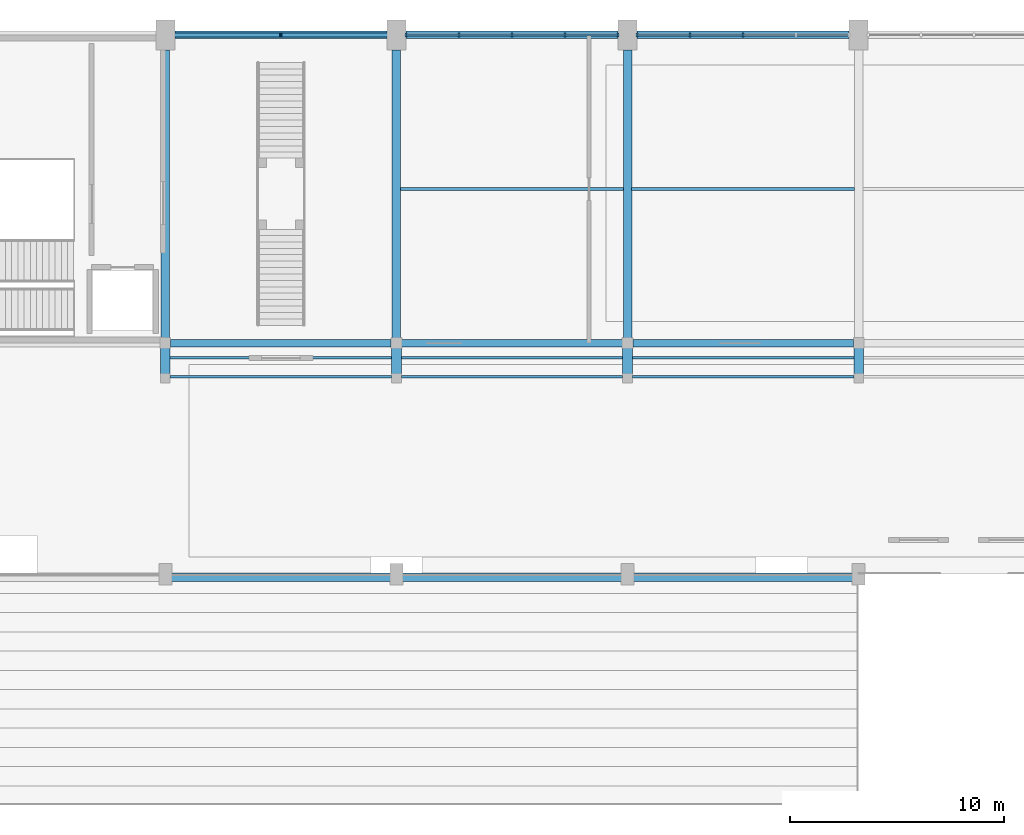
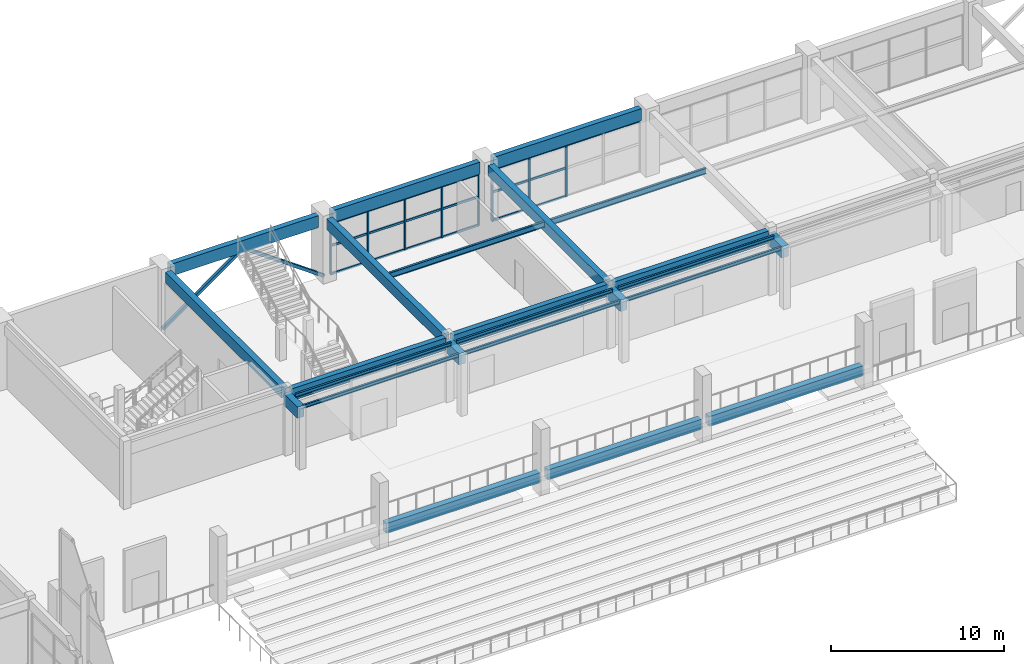
# One storey, part 25 of 74: 24 beams, 24 members, 2 elements without a shape of their own.
"""IFC4 building model written with IfcOpenShell, lengths in metres."""

from ifc_helpers import new_model, si_unit, direction, frame, origin, origin_2d, place, context, subcontext, project, spatial, rectangle, hollow_rectangle, i_section, extrude, material, material_profile, profile_set, type_object, element, aggregate, save


model = new_model("IFC4")

# Units and contexts
model_context = context("Model", 3, precision=1e-05, world=origin(), true_north=direction((0.0, 1.0)))
body_context = subcontext(model_context, "Body", "Model", "MODEL_VIEW")
ifc_project = project(units=[si_unit("LENGTHUNIT", "METRE"), si_unit("AREAUNIT", "SQUARE_METRE"), si_unit("VOLUMEUNIT", "CUBIC_METRE"), si_unit("PLANEANGLEUNIT", "RADIAN"), si_unit("MASSUNIT", "GRAM", prefix="KILO")], contexts=[model_context])

# Site, building, storey
site_placement = place(None, origin())
site = spatial("IfcSite", under=ifc_project, at=site_placement, CompositionType="ELEMENT")
building_placement = place(site_placement, origin())
building = spatial("IfcBuilding", under=site, at=building_placement, Name="Suirenkawa Promenade Aquatics Centre", CompositionType="ELEMENT")
storey_placement = place(building_placement, frame((0.0, 0.0, 4.800048828125)))
storey = spatial("IfcBuildingStorey", under=building, at=storey_placement, Name="L01", CompositionType="ELEMENT", Elevation=4.800048828125)

# Beams
ifc_material_1 = material(Name="Steel IS 2062 E350 (Grade 350)", Category="steel")
ifc_material_profile_1 = material_profile(ifc_material_1, i_section(OverallWidth=0.125, OverallDepth=0.25, WebThickness=0.007080078125, FlangeThickness=0.012939453125, at=origin_2d()), Name="ISMB 250", Category="steel")
ifc_profile_set_1 = profile_set([ifc_material_profile_1], Name="Steel IS 2062 E350 (Grade 350)")
beam_type_1 = type_object("IfcBeamType", Name="BT-JOIST-ISMB250", PredefinedType="JOIST", material=ifc_profile_set_1)
for number, where, z_axis, x_axis, name in (
    (1, (68.590087890625, 106.419921875, 4.18505859375), (1.0, 0.0, 0.0), (0.0, 1.0, 0.0), "VIP tier stringer JS-01 BM-1320"),
    (2, (68.590087890625, 107.320068359375, 4.429931640625), (1.0, 0.0, 0.0), (0.0, 1.0, 0.0), "VIP tier stringer JS-01 BM-1321"),
):
    element("IfcBeam", number, at=place(storey_placement, frame(where, z_axis=z_axis, x_axis=x_axis)), inside=storey, type_object=beam_type_1, Name=name, PredefinedType="JOIST", context=body_context, shape_type="SweptSolid", body=[
        extrude(i_section(OverallWidth=0.125, OverallDepth=0.25, WebThickness=0.007080078125, FlangeThickness=0.012939453125, at=origin_2d()), origin(), (0.0, 0.0, 1.0), 10.419921875),
    ])
for number, where, z_axis, x_axis, name in (
    (3, (79.389892578125, 106.419921875, 4.18505859375), (1.0, 0.0, 0.0), (0.0, 1.0, 0.0), "VIP tier stringer JS-01 BM-1322"),
    (4, (79.389892578125, 107.320068359375, 4.429931640625), (1.0, 0.0, 0.0), (0.0, 1.0, 0.0), "VIP tier stringer JS-01 BM-1323"),
    (5, (90.18994140625, 106.419921875, 4.18505859375), (1.0, 0.0, 0.0), (0.0, 1.0, 0.0), "VIP tier stringer JS-01 BM-1324"),
    (6, (90.18994140625, 107.320068359375, 4.429931640625), (1.0, 0.0, 0.0), (0.0, 1.0, 0.0), "VIP tier stringer JS-01 BM-1325"),
):
    element("IfcBeam", number, at=place(storey_placement, frame(where, z_axis=z_axis, x_axis=x_axis)), inside=storey, type_object=beam_type_1, Name=name, PredefinedType="JOIST", context=body_context, shape_type="SweptSolid", body=[
        extrude(i_section(OverallWidth=0.125, OverallDepth=0.25, WebThickness=0.007080078125, FlangeThickness=0.012939453125, at=origin_2d()), origin(), (0.0, 0.0, 1.0), 10.420166015625),
    ])
ifc_material_profile_2 = material_profile(ifc_material_1, i_section(OverallWidth=0.139892578125, OverallDepth=0.39990234375, WebThickness=0.009033203125, FlangeThickness=0.01611328125, at=origin_2d()), Name="ISMB 400", Category="steel")
ifc_profile_set_2 = profile_set([ifc_material_profile_2], Name="Steel IS 2062 E350 (Grade 350)")
beam_type_2 = type_object("IfcBeamType", Name="BT-JOIST-ISMB400", PredefinedType="JOIST", material=ifc_profile_set_2)
for number, where, z_axis, x_axis, name in (
    (7, (79.39404296875, 115.199951171875, 4.347900390625), (1.0, 0.0, 0.0), (0.0, 1.0, 0.0), "Secondary floor joist JS-04 BM-1151"),
    (8, (90.194091796875, 115.199951171875, 4.347900390625), (1.0, 0.0, 0.0), (0.0, 1.0, 0.0), "Secondary floor joist JS-04 BM-1152"),
):
    element("IfcBeam", number, at=place(storey_placement, frame(where, z_axis=z_axis, x_axis=x_axis)), inside=storey, type_object=beam_type_2, Name=name, PredefinedType="JOIST", context=body_context, shape_type="SweptSolid", body=[
        extrude(i_section(OverallWidth=0.139892578125, OverallDepth=0.39990234375, WebThickness=0.009033203125, FlangeThickness=0.01611328125, at=origin_2d()), origin(), (0.0, 0.0, 1.0), 10.411865234375),
    ])
ifc_material_2 = material(Name="Concrete M35", Category="concrete")
ifc_material_profile_3 = material_profile(ifc_material_2, rectangle(XDim=0.39990234375, YDim=0.699951171875, at=origin_2d()), Name="RC BM 400x700", Category="concrete")
ifc_profile_set_3 = profile_set([ifc_material_profile_3], Name="Concrete M35")
beam_type_3 = type_object("IfcBeamType", Name="BT-RC-400x700", PredefinedType="BEAM", material=ifc_profile_set_3)
for number, where, z_axis, x_axis, name in (
    (9, (68.639892578125, 97.050048828125, 1.329833984375), (1.0, 0.0, 0.0), (0.0, 1.0, 0.0), "Bowl top header beam BM-04 BM-1199"),
    (10, (79.43994140625, 97.050048828125, 1.329833984375), (1.0, 0.0, 0.0), (0.0, 1.0, 0.0), "Bowl top header beam BM-04 BM-1222"),
    (11, (90.239990234375, 97.050048828125, 1.329833984375), (1.0, 0.0, 0.0), (0.0, 1.0, 0.0), "Bowl top header beam BM-04 BM-1245"),
):
    element("IfcBeam", number, at=place(storey_placement, frame(where, z_axis=z_axis, x_axis=x_axis)), inside=storey, type_object=beam_type_3, Name=name, PredefinedType="BEAM", context=body_context, shape_type="SweptSolid", body=[
        extrude(rectangle(XDim=0.39990234375, YDim=0.699951171875, at=origin_2d()), origin(), (0.0, 0.0, 1.0), 10.320068359375),
    ])
ifc_material_3 = material(Name="Concrete M40", Category="concrete")
ifc_material_profile_4 = material_profile(ifc_material_3, rectangle(XDim=0.39990234375, YDim=0.75, at=origin_2d()), Name="RC BM 400x750", Category="concrete")
ifc_profile_set_4 = profile_set([ifc_material_profile_4], Name="Concrete M40")
beam_type_4 = type_object("IfcBeamType", Name="BT-RC-400x750", PredefinedType="BEAM", material=ifc_profile_set_4)
for number, where, z_axis, x_axis, name in (
    (12, (68.39990234375, 108.243896484375, 4.175048828125), (0.0, 1.0, 0.0), (-1.0, 0.0, 0.0), "Floor beam BM-05 BM-1143"),
    (13, (79.199951171875, 108.243896484375, 4.175048828125), (0.0, 1.0, 0.0), (-1.0, 0.0, 0.0), "Floor beam BM-05 BM-1144"),
    (14, (90.0, 108.243896484375, 4.175048828125), (0.0, 1.0, 0.0), (-1.0, 0.0, 0.0), "Floor beam BM-05 BM-1145"),
):
    element("IfcBeam", number, at=place(storey_placement, frame(where, z_axis=z_axis, x_axis=x_axis)), inside=storey, type_object=beam_type_4, Name=name, PredefinedType="BEAM", context=body_context, shape_type="SweptSolid", body=[
        extrude(rectangle(XDim=0.39990234375, YDim=0.75, at=origin_2d()), origin(), (0.0, 0.0, 1.0), 13.462158203125),
    ])
ifc_material_profile_5 = material_profile(ifc_material_3, rectangle(XDim=0.449951171875, YDim=0.800048828125, at=origin_2d()), Name="RC BM 450x800", Category="concrete")
ifc_profile_set_5 = profile_set([ifc_material_profile_5], Name="Concrete M40")
beam_type_5 = type_object("IfcBeamType", Name="BT-RC-450x800", PredefinedType="BEAM", material=ifc_profile_set_5)
for number, where, z_axis, x_axis, name in (
    (15, (68.39990234375, 106.35009765625, 3.909912109375), (0.0, 1.0, 0.0), (-1.0, 0.0, 0.0), "VIP tier support girder BM-06 BM-1313"),
    (16, (79.199951171875, 106.35009765625, 3.909912109375), (0.0, 1.0, 0.0), (-1.0, 0.0, 0.0), "VIP tier support girder BM-06 BM-1314"),
    (17, (90.0, 106.35009765625, 3.909912109375), (0.0, 1.0, 0.0), (-1.0, 0.0, 0.0), "VIP tier support girder BM-06 BM-1315"),
    (18, (100.800048828125, 106.35009765625, 3.909912109375), (0.0, 1.0, 0.0), (-1.0, 0.0, 0.0), "VIP tier support girder BM-06 BM-1316"),
):
    element("IfcBeam", number, at=place(storey_placement, frame(where, z_axis=z_axis, x_axis=x_axis)), inside=storey, type_object=beam_type_5, Name=name, PredefinedType="BEAM", context=body_context, shape_type="SweptSolid", body=[
        extrude(rectangle(XDim=0.449951171875, YDim=0.800048828125, at=origin_2d()), origin(), (0.0, 0.0, 1.0), 1.599853515625),
    ])
ifc_material_profile_6 = material_profile(ifc_material_3, rectangle(XDim=0.35009765625, YDim=0.85009765625, at=origin_2d()), Name="RC SPANDREL 350x850", Category="concrete")
ifc_profile_set_6 = profile_set([ifc_material_profile_6], Name="Concrete M40")
beam_type_6 = type_object("IfcBeamType", Name="BT-SPANDREL-350x850", PredefinedType="SPANDREL", material=ifc_profile_set_6)
for number, where, z_axis, x_axis, name in (
    (19, (68.64404296875, 108.0, 4.125), (1.0, 0.0, 0.0), (0.0, 1.0, 0.0), "Floor beam SP-02 BM-1127"),
    (20, (79.444091796875, 108.0, 4.125), (1.0, 0.0, 0.0), (0.0, 1.0, 0.0), "Floor beam SP-02 BM-1128"),
    (21, (90.243896484375, 108.0, 4.125), (1.0, 0.0, 0.0), (0.0, 1.0, 0.0), "Floor beam SP-02 BM-1129"),
):
    element("IfcBeam", number, at=place(storey_placement, frame(where, z_axis=z_axis, x_axis=x_axis)), inside=storey, type_object=beam_type_6, Name=name, PredefinedType="SPANDREL", context=body_context, shape_type="SweptSolid", body=[
        extrude(rectangle(XDim=0.35009765625, YDim=0.85009765625, at=origin_2d()), origin(), (0.0, 0.0, 1.0), 10.31201171875),
    ])
beam_placement = place(storey_placement, frame((68.843994140625, 122.39990234375, 4.125), z_axis=(1.0, 0.0, 0.0), x_axis=(0.0, 1.0, 0.0)))
element("IfcBeam", 22, at=beam_placement, inside=storey, type_object=beam_type_6, Name="Floor beam SP-02 BM-1135", PredefinedType="SPANDREL", context=body_context, shape_type="SweptSolid", body=[
    extrude(rectangle(XDim=0.35009765625, YDim=0.85009765625, at=origin_2d()), origin(), (0.0, 0.0, 1.0), 9.912109375),
])
for number, where, z_axis, x_axis, name in (
    (23, (79.64404296875, 122.39990234375, 4.125), (1.0, 0.0, 0.0), (0.0, 1.0, 0.0), "Floor beam SP-02 BM-1136"),
    (24, (90.444091796875, 122.39990234375, 4.125), (1.0, 0.0, 0.0), (0.0, 1.0, 0.0), "Floor beam SP-02 BM-1137"),
):
    element("IfcBeam", number, at=place(storey_placement, frame(where, z_axis=z_axis, x_axis=x_axis)), inside=storey, type_object=beam_type_6, Name=name, PredefinedType="SPANDREL", context=body_context, shape_type="SweptSolid", body=[
        extrude(rectangle(XDim=0.35009765625, YDim=0.85009765625, at=origin_2d()), origin(), (0.0, 0.0, 1.0), 9.911865234375),
    ])

# Curtain wall, members
ifc_material_4 = material(Name="Anodised aluminium 6063-T6", Category="aluminium")
curtain_wall_type = type_object("IfcCurtainWallType", Name="CWAT-V1CONC-11", PredefinedType="NOTDEFINED", material=ifc_material_4)
curtain_wall_1_placement = place(storey_placement, origin())
curtain_wall_1 = element("IfcCurtainWall", 25, at=curtain_wall_1_placement, inside=storey, type_object=curtain_wall_type, Name="Curtain wall CWA-11 CW-018", PredefinedType="NOTDEFINED")
ifc_material_profile_7 = material_profile(ifc_material_4, rectangle(XDim=0.094970703125, YDim=0.18994140625, at=origin_2d()), Name="ALU MULL 95x190", Category="aluminium")
ifc_profile_set_7 = profile_set([ifc_material_profile_7], Name="Anodised aluminium 6063-T6")
member_type_1 = type_object("IfcMemberType", Name="CWM-190x95", PredefinedType="MULLION", material=ifc_profile_set_7)
member_1_placement = place(storey_placement, frame((79.64892578125, 122.39990234375, 0.0), z_axis=(0.0, 0.0, 1.0), x_axis=(1.0, 0.0, 0.0)))
member_1 = element("IfcMember", 26, at=member_1_placement, type_object=member_type_1, Name="Mullion ML-02 CWM-00379", PredefinedType="MULLION", context=body_context, shape_type="SweptSolid", body=[
    extrude(rectangle(XDim=0.094970703125, YDim=0.18994140625, at=origin_2d()), origin(), (0.0, 0.0, 1.0), 3.60498046875),
])
member_2_placement = place(storey_placement, frame((82.12451171875, 122.39990234375, 0.0), z_axis=(0.0, 0.0, 1.0), x_axis=(1.0, 0.0, 0.0)))
member_2 = element("IfcMember", 27, at=member_2_placement, type_object=member_type_1, Name="Mullion ML-02 CWM-00380", PredefinedType="MULLION", context=body_context, shape_type="SweptSolid", body=[
    extrude(rectangle(XDim=0.094970703125, YDim=0.18994140625, at=origin_2d()), origin(), (0.0, 0.0, 1.0), 3.60498046875),
])
member_3_placement = place(storey_placement, frame((84.60009765625, 122.39990234375, 0.0), z_axis=(0.0, 0.0, 1.0), x_axis=(1.0, 0.0, 0.0)))
member_3 = element("IfcMember", 28, at=member_3_placement, type_object=member_type_1, Name="Mullion ML-02 CWM-00381", PredefinedType="MULLION", context=body_context, shape_type="SweptSolid", body=[
    extrude(rectangle(XDim=0.094970703125, YDim=0.18994140625, at=origin_2d()), origin(), (0.0, 0.0, 1.0), 3.60498046875),
])
member_4_placement = place(storey_placement, frame((87.075439453125, 122.39990234375, 0.0), z_axis=(0.0, 0.0, 1.0), x_axis=(1.0, 0.0, 0.0)))
member_4 = element("IfcMember", 29, at=member_4_placement, type_object=member_type_1, Name="Mullion ML-02 CWM-00382", PredefinedType="MULLION", context=body_context, shape_type="SweptSolid", body=[
    extrude(rectangle(XDim=0.094970703125, YDim=0.18994140625, at=origin_2d()), origin(), (0.0, 0.0, 1.0), 3.60498046875),
])
member_5_placement = place(storey_placement, frame((89.551025390625, 122.39990234375, 0.0), z_axis=(0.0, 0.0, 1.0), x_axis=(1.0, 0.0, 0.0)))
member_5 = element("IfcMember", 30, at=member_5_placement, type_object=member_type_1, Name="Mullion ML-02 CWM-00383", PredefinedType="MULLION", context=body_context, shape_type="SweptSolid", body=[
    extrude(rectangle(XDim=0.094970703125, YDim=0.18994140625, at=origin_2d()), origin(), (0.0, 0.0, 1.0), 3.60498046875),
])

curtain_wall_2_placement = place(storey_placement, origin())
curtain_wall_2 = element("IfcCurtainWall", 31, at=curtain_wall_2_placement, inside=storey, type_object=curtain_wall_type, Name="Curtain wall CWA-11 CW-021", PredefinedType="NOTDEFINED")
member_6_placement = place(storey_placement, frame((90.448974609375, 122.39990234375, 0.0), z_axis=(0.0, 0.0, 1.0), x_axis=(1.0, 0.0, 0.0)))
member_6 = element("IfcMember", 32, at=member_6_placement, type_object=member_type_1, Name="Mullion ML-02 CWM-00439", PredefinedType="MULLION", context=body_context, shape_type="SweptSolid", body=[
    extrude(rectangle(XDim=0.094970703125, YDim=0.18994140625, at=origin_2d()), origin(), (0.0, 0.0, 1.0), 3.60498046875),
])
member_7_placement = place(storey_placement, frame((92.924560546875, 122.39990234375, 0.0), z_axis=(0.0, 0.0, 1.0), x_axis=(1.0, 0.0, 0.0)))
member_7 = element("IfcMember", 33, at=member_7_placement, type_object=member_type_1, Name="Mullion ML-02 CWM-00440", PredefinedType="MULLION", context=body_context, shape_type="SweptSolid", body=[
    extrude(rectangle(XDim=0.094970703125, YDim=0.18994140625, at=origin_2d()), origin(), (0.0, 0.0, 1.0), 3.60498046875),
])
member_8_placement = place(storey_placement, frame((95.39990234375, 122.39990234375, 0.0), z_axis=(0.0, 0.0, 1.0), x_axis=(1.0, 0.0, 0.0)))
member_8 = element("IfcMember", 34, at=member_8_placement, type_object=member_type_1, Name="Mullion ML-02 CWM-00441", PredefinedType="MULLION", context=body_context, shape_type="SweptSolid", body=[
    extrude(rectangle(XDim=0.094970703125, YDim=0.18994140625, at=origin_2d()), origin(), (0.0, 0.0, 1.0), 3.60498046875),
])

# Member
ifc_material_profile_8 = material_profile(ifc_material_4, rectangle(XDim=0.094970703125, YDim=0.14990234375, at=origin_2d()), Name="ALU TRAN 95x150", Category="aluminium")
ifc_profile_set_8 = profile_set([ifc_material_profile_8], Name="Anodised aluminium 6063-T6")
member_type_2 = type_object("IfcMemberType", Name="CWT-150x95", PredefinedType="USERDEFINED", material=ifc_profile_set_8)
member_9_placement = place(storey_placement, frame((79.64892578125, 122.39990234375, 0.0), z_axis=(1.0, 0.0, 0.0), x_axis=(0.0, 1.0, 0.0)))
member_9 = element("IfcMember", 35, at=member_9_placement, type_object=member_type_2, Name="Transom TR-02 CWT-00384", ObjectType="TRANSOM", PredefinedType="USERDEFINED", context=body_context, shape_type="SweptSolid", body=[
    extrude(rectangle(XDim=0.094970703125, YDim=0.14990234375, at=origin_2d()), origin(), (0.0, 0.0, 1.0), 2.4755859375),
])

member_10_placement = place(storey_placement, frame((82.12451171875, 122.39990234375, 0.0), z_axis=(1.0, 0.0, 0.0), x_axis=(0.0, 1.0, 0.0)))
member_10 = element("IfcMember", 36, at=member_10_placement, type_object=member_type_2, Name="Transom TR-02 CWT-00385", ObjectType="TRANSOM", PredefinedType="USERDEFINED", context=body_context, shape_type="SweptSolid", body=[
    extrude(rectangle(XDim=0.094970703125, YDim=0.14990234375, at=origin_2d()), origin(), (0.0, 0.0, 1.0), 2.4755859375),
])

member_11_placement = place(storey_placement, frame((84.60009765625, 122.39990234375, 0.0), z_axis=(1.0, 0.0, 0.0), x_axis=(0.0, 1.0, 0.0)))
member_11 = element("IfcMember", 37, at=member_11_placement, type_object=member_type_2, Name="Transom TR-02 CWT-00386", ObjectType="TRANSOM", PredefinedType="USERDEFINED", context=body_context, shape_type="SweptSolid", body=[
    extrude(rectangle(XDim=0.094970703125, YDim=0.14990234375, at=origin_2d()), origin(), (0.0, 0.0, 1.0), 2.475341796875),
])

member_12_placement = place(storey_placement, frame((87.075439453125, 122.39990234375, 0.0), z_axis=(1.0, 0.0, 0.0), x_axis=(0.0, 1.0, 0.0)))
member_12 = element("IfcMember", 38, at=member_12_placement, type_object=member_type_2, Name="Transom TR-02 CWT-00387", ObjectType="TRANSOM", PredefinedType="USERDEFINED", context=body_context, shape_type="SweptSolid", body=[
    extrude(rectangle(XDim=0.094970703125, YDim=0.14990234375, at=origin_2d()), origin(), (0.0, 0.0, 1.0), 2.4755859375),
])

member_13_placement = place(storey_placement, frame((79.64892578125, 122.39990234375, 2.0), z_axis=(1.0, 0.0, 0.0), x_axis=(0.0, 1.0, 0.0)))
member_13 = element("IfcMember", 39, at=member_13_placement, type_object=member_type_2, Name="Transom TR-02 CWT-00388", ObjectType="TRANSOM", PredefinedType="USERDEFINED", context=body_context, shape_type="SweptSolid", body=[
    extrude(rectangle(XDim=0.094970703125, YDim=0.14990234375, at=origin_2d()), origin(), (0.0, 0.0, 1.0), 2.4755859375),
])

member_14_placement = place(storey_placement, frame((82.12451171875, 122.39990234375, 2.0), z_axis=(1.0, 0.0, 0.0), x_axis=(0.0, 1.0, 0.0)))
member_14 = element("IfcMember", 40, at=member_14_placement, type_object=member_type_2, Name="Transom TR-02 CWT-00389", ObjectType="TRANSOM", PredefinedType="USERDEFINED", context=body_context, shape_type="SweptSolid", body=[
    extrude(rectangle(XDim=0.094970703125, YDim=0.14990234375, at=origin_2d()), origin(), (0.0, 0.0, 1.0), 2.4755859375),
])

member_15_placement = place(storey_placement, frame((84.60009765625, 122.39990234375, 2.0), z_axis=(1.0, 0.0, 0.0), x_axis=(0.0, 1.0, 0.0)))
member_15 = element("IfcMember", 41, at=member_15_placement, type_object=member_type_2, Name="Transom TR-02 CWT-00390", ObjectType="TRANSOM", PredefinedType="USERDEFINED", context=body_context, shape_type="SweptSolid", body=[
    extrude(rectangle(XDim=0.094970703125, YDim=0.14990234375, at=origin_2d()), origin(), (0.0, 0.0, 1.0), 2.475341796875),
])

member_16_placement = place(storey_placement, frame((87.075439453125, 122.39990234375, 2.0), z_axis=(1.0, 0.0, 0.0), x_axis=(0.0, 1.0, 0.0)))
member_16 = element("IfcMember", 42, at=member_16_placement, type_object=member_type_2, Name="Transom TR-02 CWT-00391", ObjectType="TRANSOM", PredefinedType="USERDEFINED", context=body_context, shape_type="SweptSolid", body=[
    extrude(rectangle(XDim=0.094970703125, YDim=0.14990234375, at=origin_2d()), origin(), (0.0, 0.0, 1.0), 2.4755859375),
])

member_17_placement = place(storey_placement, frame((79.64892578125, 122.39990234375, 3.60498046875), z_axis=(1.0, 0.0, 0.0), x_axis=(0.0, 1.0, 0.0)))
member_17 = element("IfcMember", 43, at=member_17_placement, type_object=member_type_2, Name="Roofline transom TR-02 CWT-00392", ObjectType="TRANSOM", PredefinedType="USERDEFINED", context=body_context, shape_type="SweptSolid", body=[
    extrude(rectangle(XDim=0.094970703125, YDim=0.14990234375, at=origin_2d()), origin(), (0.0, 0.0, 1.0), 9.902099609375),
])

aggregate(curtain_wall_1, [member_1, member_2, member_3, member_4, member_5, member_9, member_10, member_11, member_12, member_13, member_14, member_15, member_16, member_17])

member_18_placement = place(storey_placement, frame((90.448974609375, 122.39990234375, 0.0), z_axis=(1.0, 0.0, 0.0), x_axis=(0.0, 1.0, 0.0)))
member_18 = element("IfcMember", 44, at=member_18_placement, type_object=member_type_2, Name="Transom TR-02 CWT-00444", ObjectType="TRANSOM", PredefinedType="USERDEFINED", context=body_context, shape_type="SweptSolid", body=[
    extrude(rectangle(XDim=0.094970703125, YDim=0.14990234375, at=origin_2d()), origin(), (0.0, 0.0, 1.0), 2.4755859375),
])

member_19_placement = place(storey_placement, frame((92.924560546875, 122.39990234375, 0.0), z_axis=(1.0, 0.0, 0.0), x_axis=(0.0, 1.0, 0.0)))
member_19 = element("IfcMember", 45, at=member_19_placement, type_object=member_type_2, Name="Transom TR-02 CWT-00445", ObjectType="TRANSOM", PredefinedType="USERDEFINED", context=body_context, shape_type="SweptSolid", body=[
    extrude(rectangle(XDim=0.094970703125, YDim=0.14990234375, at=origin_2d()), origin(), (0.0, 0.0, 1.0), 2.475341796875),
])

member_20_placement = place(storey_placement, frame((90.448974609375, 122.39990234375, 2.0), z_axis=(1.0, 0.0, 0.0), x_axis=(0.0, 1.0, 0.0)))
member_20 = element("IfcMember", 46, at=member_20_placement, type_object=member_type_2, Name="Transom TR-02 CWT-00448", ObjectType="TRANSOM", PredefinedType="USERDEFINED", context=body_context, shape_type="SweptSolid", body=[
    extrude(rectangle(XDim=0.094970703125, YDim=0.14990234375, at=origin_2d()), origin(), (0.0, 0.0, 1.0), 2.4755859375),
])

member_21_placement = place(storey_placement, frame((92.924560546875, 122.39990234375, 2.0), z_axis=(1.0, 0.0, 0.0), x_axis=(0.0, 1.0, 0.0)))
member_21 = element("IfcMember", 47, at=member_21_placement, type_object=member_type_2, Name="Transom TR-02 CWT-00449", ObjectType="TRANSOM", PredefinedType="USERDEFINED", context=body_context, shape_type="SweptSolid", body=[
    extrude(rectangle(XDim=0.094970703125, YDim=0.14990234375, at=origin_2d()), origin(), (0.0, 0.0, 1.0), 2.475341796875),
])

member_22_placement = place(storey_placement, frame((90.448974609375, 122.39990234375, 3.60498046875), z_axis=(1.0, 0.0, 0.0), x_axis=(0.0, 1.0, 0.0)))
member_22 = element("IfcMember", 48, at=member_22_placement, type_object=member_type_2, Name="Roofline transom TR-02 CWT-00452", ObjectType="TRANSOM", PredefinedType="USERDEFINED", context=body_context, shape_type="SweptSolid", body=[
    extrude(rectangle(XDim=0.094970703125, YDim=0.14990234375, at=origin_2d()), origin(), (0.0, 0.0, 1.0), 9.902099609375),
])

aggregate(curtain_wall_2, [member_6, member_7, member_8, member_18, member_19, member_20, member_21, member_22])

# Members
ifc_material_profile_9 = material_profile(ifc_material_1, hollow_rectangle(XDim=0.199951171875, YDim=0.199951171875, WallThickness=0.010009765625, at=origin_2d()), Name="SHS 200x200x10", Category="steel")
ifc_profile_set_9 = profile_set([ifc_material_profile_9], Name="Steel IS 2062 E350 (Grade 350)")
member_type_3 = type_object("IfcMemberType", Name="MT-BRACE-SHS200", PredefinedType="BRACE", material=ifc_profile_set_9)
member_23_placement = place(storey_placement, frame((68.39990234375, 122.39990234375, 0.050048828125), z_axis=(0.814260453603, 0.0, 0.580499710334), x_axis=(0.0, 1.0, 0.0)))
element("IfcMember", 49, at=member_23_placement, inside=storey, type_object=member_type_3, Name="ROOF TRUSS Vertical chevron brace BF-01 MB-2909", PredefinedType="BRACE", context=body_context, shape_type="SweptSolid", body=[
    extrude(hollow_rectangle(XDim=0.199951171875, YDim=0.199951171875, WallThickness=0.010009765625, at=origin_2d()), origin(), (0.0, 0.0, 1.0), 6.632080078125),
])
member_24_placement = place(storey_placement, frame((79.199951171875, 122.39990234375, 0.050048828125), z_axis=(-0.8142480479, 0.0, 0.580517111282), x_axis=(0.0, -1.0, 0.0)))
element("IfcMember", 50, at=member_24_placement, inside=storey, type_object=member_type_3, Name="ROOF TRUSS Vertical chevron brace BF-01 MB-2910", PredefinedType="BRACE", context=body_context, shape_type="SweptSolid", body=[
    extrude(hollow_rectangle(XDim=0.199951171875, YDim=0.199951171875, WallThickness=0.010009765625, at=origin_2d()), origin(), (0.0, 0.0, 1.0), 6.6318359375),
])

save(model, "model.ifc")
